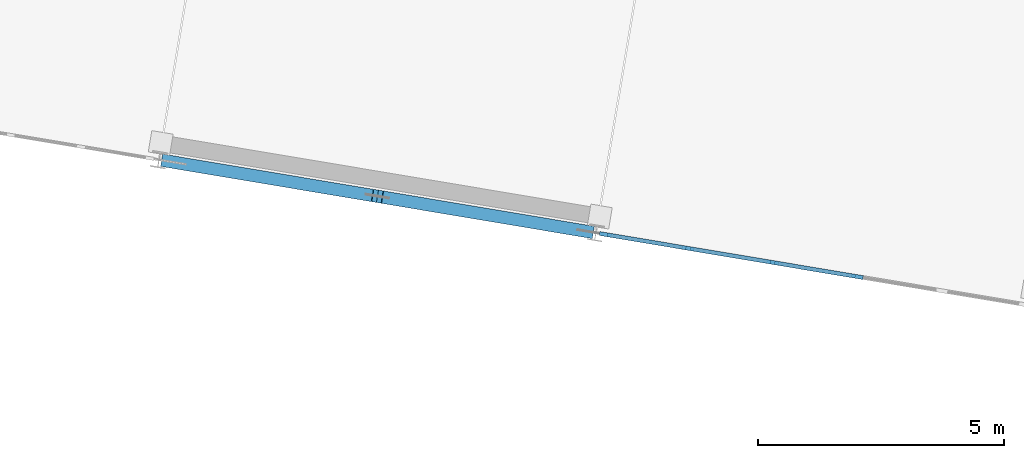
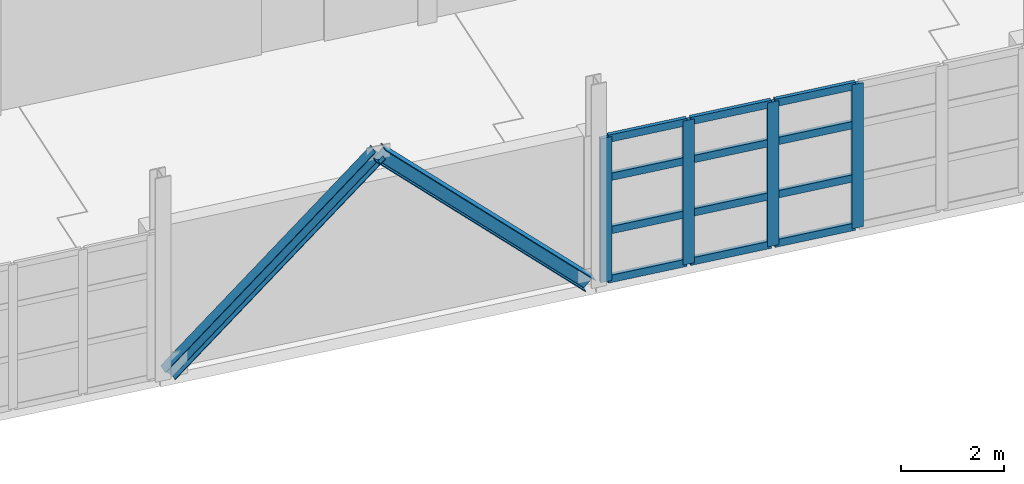
# One storey, part 23 of 102: 18 members, 1 element without a shape of its own.
"""IFC4 building model written with IfcOpenShell, lengths in metres."""

from ifc_helpers import new_model, si_unit, direction, frame, origin, origin_2d, place, context, subcontext, project, spatial, rectangle, i_section, extrude, material, layer, layer_set, material_profile, profile_set, type_object, element, aggregate, save


model = new_model("IFC4")

# Units and contexts
model_context = context("Model", 3, precision=1e-05, world=origin(), true_north=direction((0.0, 1.0)))
body_context = subcontext(model_context, "Body", "Model", "MODEL_VIEW")
ifc_project = project(units=[si_unit("LENGTHUNIT", "METRE"), si_unit("AREAUNIT", "SQUARE_METRE"), si_unit("VOLUMEUNIT", "CUBIC_METRE"), si_unit("PLANEANGLEUNIT", "RADIAN"), si_unit("MASSUNIT", "GRAM", prefix="KILO")], contexts=[model_context])

# Site, building, storey
site_placement = place(None, origin())
site = spatial("IfcSite", under=ifc_project, at=site_placement, CompositionType="ELEMENT")
building_placement = place(site_placement, origin())
building = spatial("IfcBuilding", under=site, at=building_placement, Name="Vireo Bluff Cable Station", CompositionType="ELEMENT")
storey_placement = place(building_placement, frame((0.0, 0.0, 9.60009765625)))
storey = spatial("IfcBuildingStorey", under=building, at=storey_placement, Name="L02", CompositionType="ELEMENT", Elevation=9.60009765625)

# Members
ifc_material_1 = material(Name="Steel ASTM A992 Gr. 50", Category="steel")
ifc_material_profile_1 = material_profile(ifc_material_1, i_section(OverallWidth=0.25390625, OverallDepth=0.305908203125, WebThickness=0.0087890625, FlangeThickness=0.0146484375, FilletRadius=0.010986328125, at=origin_2d()), Name="W12X53")
ifc_profile_set_1 = profile_set([ifc_material_profile_1], Name="Steel ASTM A992 Gr. 50")
member_type_1 = type_object("IfcMemberType", Name="BRC-04", PredefinedType="BRACE", material=ifc_profile_set_1)
member_1_placement = place(storey_placement, frame((23.410888671875, 68.502685546875, 0.039794921875), z_axis=(0.713650967905, -0.119423483707, 0.690246570109), x_axis=(0.165046622801, 0.986285766044, 0.0)))
element("IfcMember", 1, at=member_1_placement, inside=storey, type_object=member_type_1, Name="V4 L02 concentric brace 81L", PredefinedType="BRACE", context=body_context, shape_type="SweptSolid", body=[
    extrude(i_section(OverallWidth=0.25390625, OverallDepth=0.305908203125, WebThickness=0.0087890625, FlangeThickness=0.0146484375, FilletRadius=0.010986328125, at=origin_2d()), origin(), (0.0, 0.0, 1.0), 5.998046875),
])
ifc_material_profile_2 = material_profile(ifc_material_1, i_section(OverallWidth=0.25390625, OverallDepth=0.31005859375, WebThickness=0.009033203125, FlangeThickness=0.016357421875, FilletRadius=0.010986328125, at=origin_2d()), Name="W12X58")
ifc_profile_set_2 = profile_set([ifc_material_profile_2], Name="Steel ASTM A992 Gr. 50")
member_type_2 = type_object("IfcMemberType", Name="BRC-05", PredefinedType="BRACE", material=ifc_profile_set_2)
member_2_placement = place(storey_placement, frame((31.971923828125, 67.070068359375, 0.039794921875), z_axis=(-0.713650967905, 0.119423483707, 0.690246570109), x_axis=(-0.165046622801, -0.986285766044, 0.0)))
element("IfcMember", 2, at=member_2_placement, inside=storey, type_object=member_type_2, Name="V4 L02 concentric brace 82R", PredefinedType="BRACE", context=body_context, shape_type="SweptSolid", body=[
    extrude(i_section(OverallWidth=0.25390625, OverallDepth=0.31005859375, WebThickness=0.009033203125, FlangeThickness=0.016357421875, FilletRadius=0.010986328125, at=origin_2d()), origin(), (0.0, 0.0, 1.0), 5.998046875),
])

# Curtain wall, members
ifc_material_2 = material(Name="Anodized Aluminium 6063-T6", Category="aluminium")
ifc_layer = layer(ifc_material_2, 0.179931640625, Name="Anodized Aluminium 6063-T6")
ifc_layer_set = layer_set([ifc_layer], Name="Anodized Aluminium 6063-T6")
curtain_wall_type = type_object("IfcCurtainWallType", Name="CW-UNIT-1650", PredefinedType="USERDEFINED", material=ifc_layer_set)
curtain_wall_placement = place(storey_placement, origin())
curtain_wall = element("IfcCurtainWall", 3, at=curtain_wall_placement, inside=storey, type_object=curtain_wall_type, Name="V4 L02 south curtain wall CW-095", ObjectType="UNITISED CURTAIN WALL", PredefinedType="USERDEFINED")
ifc_material_profile_3 = material_profile(ifc_material_2, rectangle(XDim=0.080078125, YDim=0.239990234375, at=origin_2d()), Name="ALU-M-80X240")
ifc_profile_set_3 = profile_set([ifc_material_profile_3], Name="Anodized Aluminium 6063-T6")
member_type_3 = type_object("IfcMemberType", Name="CWM-04", PredefinedType="MULLION", material=ifc_profile_set_3)
member_3_placement = place(storey_placement, frame((37.440185546875, 66.155029296875, 0.0), z_axis=(0.0, 0.0, 1.0), x_axis=(-0.165047637655, -0.986285596217, 0.0)))
member_3 = element("IfcMember", 4, at=member_3_placement, type_object=member_type_3, Name="CW-095 mullion 3", PredefinedType="MULLION", context=body_context, shape_type="SweptSolid", body=[
    extrude(rectangle(XDim=0.080078125, YDim=0.239990234375, at=origin_2d()), origin(), (0.0, 0.0, 1.0), 3.39990234375),
])
member_4_placement = place(storey_placement, frame((35.721435546875, 66.442626953125, 0.0), z_axis=(0.0, 0.0, 1.0), x_axis=(-0.165047637655, -0.986285596217, 0.0)))
member_4 = element("IfcMember", 5, at=member_4_placement, type_object=member_type_3, Name="CW-095 mullion 4", PredefinedType="MULLION", context=body_context, shape_type="SweptSolid", body=[
    extrude(rectangle(XDim=0.080078125, YDim=0.239990234375, at=origin_2d()), origin(), (0.0, 0.0, 1.0), 3.39990234375),
])
member_5_placement = place(storey_placement, frame((34.002685546875, 66.730224609375, 0.0), z_axis=(0.0, 0.0, 1.0), x_axis=(-0.165047637655, -0.986285596217, 0.0)))
member_5 = element("IfcMember", 6, at=member_5_placement, type_object=member_type_3, Name="CW-095 mullion 5", PredefinedType="MULLION", context=body_context, shape_type="SweptSolid", body=[
    extrude(rectangle(XDim=0.080078125, YDim=0.239990234375, at=origin_2d()), origin(), (0.0, 0.0, 1.0), 3.39990234375),
])
member_6_placement = place(storey_placement, frame((32.323486328125, 67.01123046875, 0.0), z_axis=(0.0, 0.0, 1.0), x_axis=(-0.165047637655, -0.986285596217, 0.0)))
member_6 = element("IfcMember", 7, at=member_6_placement, type_object=member_type_3, Name="CW-095 mullion 6", PredefinedType="MULLION", context=body_context, shape_type="SweptSolid", body=[
    extrude(rectangle(XDim=0.080078125, YDim=0.239990234375, at=origin_2d()), origin(), (0.0, 0.0, 1.0), 3.39990234375),
])
ifc_material_profile_4 = material_profile(ifc_material_2, rectangle(XDim=0.080078125, YDim=0.175048828125, at=origin_2d()), Name="ALU-T-80X175")
ifc_profile_set_4 = profile_set([ifc_material_profile_4], Name="Anodized Aluminium 6063-T6")
member_type_4 = type_object("IfcMemberType", Name="CWT-04", PredefinedType="USERDEFINED", material=ifc_profile_set_4)
member_7_placement = place(storey_placement, frame((37.400634765625, 66.16162109375, 0.039794921875), z_axis=(-0.986282564444, 0.165065753787, 0.0), x_axis=(-0.165065753787, -0.986282564444, 0.0)))
member_7 = element("IfcMember", 8, at=member_7_placement, type_object=member_type_4, Name="CW-095 transom 3.1", ObjectType="TRANSOM", PredefinedType="USERDEFINED", context=body_context, shape_type="SweptSolid", body=[
    extrude(rectangle(XDim=0.080078125, YDim=0.175048828125, at=origin_2d()), origin(), (0.0, 0.0, 1.0), 1.662353515625),
])
member_8_placement = place(storey_placement, frame((37.400634765625, 66.16162109375, 1.18994140625), z_axis=(-0.986282564444, 0.165065753787, 0.0), x_axis=(-0.165065753787, -0.986282564444, 0.0)))
member_8 = element("IfcMember", 9, at=member_8_placement, type_object=member_type_4, Name="CW-095 transom 3.2", ObjectType="TRANSOM", PredefinedType="USERDEFINED", context=body_context, shape_type="SweptSolid", body=[
    extrude(rectangle(XDim=0.080078125, YDim=0.175048828125, at=origin_2d()), origin(), (0.0, 0.0, 1.0), 1.662353515625),
])
member_9_placement = place(storey_placement, frame((37.400634765625, 66.16162109375, 2.447998046875), z_axis=(-0.986282564444, 0.165065753787, 0.0), x_axis=(-0.165065753787, -0.986282564444, 0.0)))
member_9 = element("IfcMember", 10, at=member_9_placement, type_object=member_type_4, Name="CW-095 transom 3.3", ObjectType="TRANSOM", PredefinedType="USERDEFINED", context=body_context, shape_type="SweptSolid", body=[
    extrude(rectangle(XDim=0.080078125, YDim=0.175048828125, at=origin_2d()), origin(), (0.0, 0.0, 1.0), 1.662353515625),
])
member_10_placement = place(storey_placement, frame((37.400634765625, 66.16162109375, 3.35986328125), z_axis=(-0.986282564444, 0.165065753787, 0.0), x_axis=(-0.165065753787, -0.986282564444, 0.0)))
member_10 = element("IfcMember", 11, at=member_10_placement, type_object=member_type_4, Name="CW-095 transom 3.4", ObjectType="TRANSOM", PredefinedType="USERDEFINED", context=body_context, shape_type="SweptSolid", body=[
    extrude(rectangle(XDim=0.080078125, YDim=0.175048828125, at=origin_2d()), origin(), (0.0, 0.0, 1.0), 1.662353515625),
])
member_11_placement = place(storey_placement, frame((35.68212890625, 66.44921875, 0.039794921875), z_axis=(-0.986286564907, 0.165041848884, 0.0), x_axis=(-0.165041848884, -0.986286564907, 0.0)))
member_11 = element("IfcMember", 12, at=member_11_placement, type_object=member_type_4, Name="CW-095 transom 4.1", ObjectType="TRANSOM", PredefinedType="USERDEFINED", context=body_context, shape_type="SweptSolid", body=[
    extrude(rectangle(XDim=0.080078125, YDim=0.175048828125, at=origin_2d()), origin(), (0.0, 0.0, 1.0), 1.66259765625),
])
member_12_placement = place(storey_placement, frame((35.68212890625, 66.44921875, 1.18994140625), z_axis=(-0.986286564907, 0.165041848884, 0.0), x_axis=(-0.165041848884, -0.986286564907, 0.0)))
member_12 = element("IfcMember", 13, at=member_12_placement, type_object=member_type_4, Name="CW-095 transom 4.2", ObjectType="TRANSOM", PredefinedType="USERDEFINED", context=body_context, shape_type="SweptSolid", body=[
    extrude(rectangle(XDim=0.080078125, YDim=0.175048828125, at=origin_2d()), origin(), (0.0, 0.0, 1.0), 1.66259765625),
])
member_13_placement = place(storey_placement, frame((35.68212890625, 66.44921875, 2.447998046875), z_axis=(-0.986286564907, 0.165041848884, 0.0), x_axis=(-0.165041848884, -0.986286564907, 0.0)))
member_13 = element("IfcMember", 14, at=member_13_placement, type_object=member_type_4, Name="CW-095 transom 4.3", ObjectType="TRANSOM", PredefinedType="USERDEFINED", context=body_context, shape_type="SweptSolid", body=[
    extrude(rectangle(XDim=0.080078125, YDim=0.175048828125, at=origin_2d()), origin(), (0.0, 0.0, 1.0), 1.66259765625),
])
member_14_placement = place(storey_placement, frame((35.68212890625, 66.44921875, 3.35986328125), z_axis=(-0.986286564907, 0.165041848884, 0.0), x_axis=(-0.165041848884, -0.986286564907, 0.0)))
member_14 = element("IfcMember", 15, at=member_14_placement, type_object=member_type_4, Name="CW-095 transom 4.4", ObjectType="TRANSOM", PredefinedType="USERDEFINED", context=body_context, shape_type="SweptSolid", body=[
    extrude(rectangle(XDim=0.080078125, YDim=0.175048828125, at=origin_2d()), origin(), (0.0, 0.0, 1.0), 1.66259765625),
])
member_15_placement = place(storey_placement, frame((33.96337890625, 66.73681640625, 0.039794921875), z_axis=(-0.986283906635, 0.165057733879, 0.0), x_axis=(-0.165057733879, -0.986283906635, 0.0)))
member_15 = element("IfcMember", 16, at=member_15_placement, type_object=member_type_4, Name="CW-095 transom 5.1", ObjectType="TRANSOM", PredefinedType="USERDEFINED", context=body_context, shape_type="SweptSolid", body=[
    extrude(rectangle(XDim=0.080078125, YDim=0.175048828125, at=origin_2d()), origin(), (0.0, 0.0, 1.0), 1.62255859375),
])
member_16_placement = place(storey_placement, frame((33.96337890625, 66.73681640625, 1.18994140625), z_axis=(-0.986283906635, 0.165057733879, 0.0), x_axis=(-0.165057733879, -0.986283906635, 0.0)))
member_16 = element("IfcMember", 17, at=member_16_placement, type_object=member_type_4, Name="CW-095 transom 5.2", ObjectType="TRANSOM", PredefinedType="USERDEFINED", context=body_context, shape_type="SweptSolid", body=[
    extrude(rectangle(XDim=0.080078125, YDim=0.175048828125, at=origin_2d()), origin(), (0.0, 0.0, 1.0), 1.62255859375),
])
member_17_placement = place(storey_placement, frame((33.96337890625, 66.73681640625, 2.447998046875), z_axis=(-0.986283906635, 0.165057733879, 0.0), x_axis=(-0.165057733879, -0.986283906635, 0.0)))
member_17 = element("IfcMember", 18, at=member_17_placement, type_object=member_type_4, Name="CW-095 transom 5.3", ObjectType="TRANSOM", PredefinedType="USERDEFINED", context=body_context, shape_type="SweptSolid", body=[
    extrude(rectangle(XDim=0.080078125, YDim=0.175048828125, at=origin_2d()), origin(), (0.0, 0.0, 1.0), 1.62255859375),
])
member_18_placement = place(storey_placement, frame((33.96337890625, 66.73681640625, 3.35986328125), z_axis=(-0.986283906635, 0.165057733879, 0.0), x_axis=(-0.165057733879, -0.986283906635, 0.0)))
member_18 = element("IfcMember", 19, at=member_18_placement, type_object=member_type_4, Name="CW-095 transom 5.4", ObjectType="TRANSOM", PredefinedType="USERDEFINED", context=body_context, shape_type="SweptSolid", body=[
    extrude(rectangle(XDim=0.080078125, YDim=0.175048828125, at=origin_2d()), origin(), (0.0, 0.0, 1.0), 1.62255859375),
])
aggregate(curtain_wall, [member_3, member_4, member_5, member_6, member_7, member_8, member_9, member_10, member_11, member_12, member_13, member_14, member_15, member_16, member_17, member_18])

save(model, "model.ifc")
